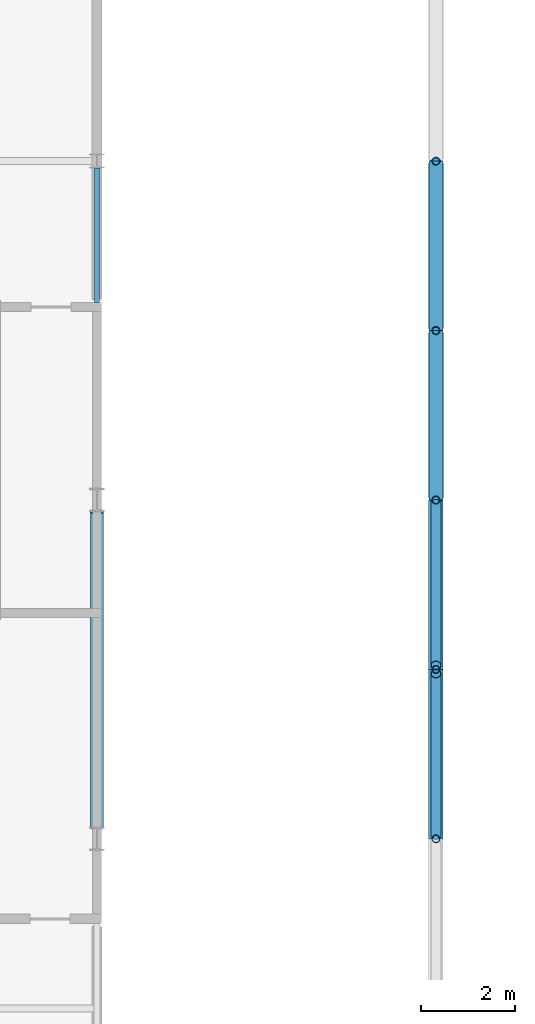
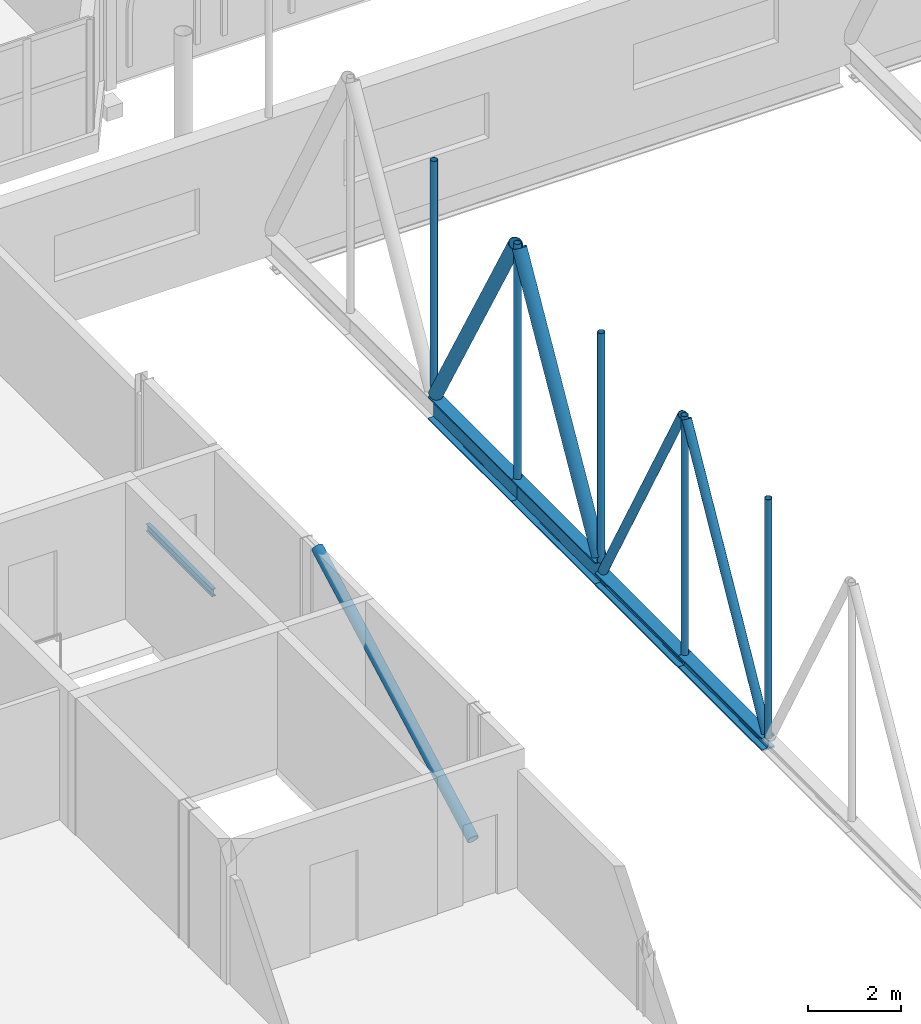
# One storey, part 44 of 142: 14 members, 1 beam.
"""IFC4 building model written with IfcOpenShell, lengths in metres."""

from ifc_helpers import new_model, si_unit, direction, frame, origin, origin_2d, place, context, subcontext, project, spatial, hollow_circle, i_section, extrude, material, material_profile, profile_set, type_object, element, save


model = new_model("IFC4")

# Units and contexts
model_context = context("Model", 3, precision=1e-05, world=origin(), true_north=direction((0.0, 1.0)))
body_context = subcontext(model_context, "Body", "Model", "MODEL_VIEW")
ifc_project = project(units=[si_unit("LENGTHUNIT", "METRE"), si_unit("AREAUNIT", "SQUARE_METRE"), si_unit("VOLUMEUNIT", "CUBIC_METRE"), si_unit("PLANEANGLEUNIT", "RADIAN"), si_unit("MASSUNIT", "GRAM", prefix="KILO")], contexts=[model_context])

# Site, building, storey
site_placement = place(None, origin())
site = spatial("IfcSite", under=ifc_project, at=site_placement, CompositionType="ELEMENT")
building_placement = place(site_placement, origin())
building = spatial("IfcBuilding", under=site, at=building_placement, Name="Kupolbacken Congress Centre", CompositionType="ELEMENT")
storey_placement = place(building_placement, frame((0.0, 0.0, 14.39990234375)))
storey = spatial("IfcBuildingStorey", under=building, at=storey_placement, Name="L04", CompositionType="ELEMENT", Elevation=14.39990234375)

# Beam
ifc_material_1 = material(Name="Steel S355", Category="steel")
ifc_material_profile_1 = material_profile(ifc_material_1, i_section(OverallWidth=0.10009765625, OverallDepth=0.199951171875, WebThickness=0.005615234375, FlangeThickness=0.008544921875, FilletRadius=0.011962890625, at=origin_2d()), Name="IPE 200")
ifc_profile_set_1 = profile_set([ifc_material_profile_1], Name="Steel S355")
beam_type = type_object("IfcBeamType", Name="B01 beam IPE 200", PredefinedType="BEAM", material=ifc_profile_set_1)
beam_placement = place(storey_placement, frame((86.39990234375, 105.0, -0.27978515625), z_axis=(0.0, 1.0, 0.0), x_axis=(-1.0, 0.0, 0.0)))
element("IfcBeam", 1, at=beam_placement, inside=storey, type_object=beam_type, Name="S/floor/LINK/L04/E008", PredefinedType="BEAM", context=body_context, shape_type="SweptSolid", body=[
    extrude(i_section(OverallWidth=0.10009765625, OverallDepth=0.199951171875, WebThickness=0.005615234375, FlangeThickness=0.008544921875, FilletRadius=0.011962890625, at=origin_2d()), origin(), (0.0, 0.0, 1.0), 2.85498046875),
])

# Members
ifc_material_2 = material(Name="Steel S355", Category="steel")
ifc_material_profile_2 = material_profile(ifc_material_2, i_section(OverallWidth=0.31005859375, OverallDepth=0.340087890625, WebThickness=0.02099609375, FlangeThickness=0.0390625, FilletRadius=0.027099609375, at=origin_2d()), Name="HEM 300")
ifc_profile_set_2 = profile_set([ifc_material_profile_2], Name="Steel S355")
member_type_1 = type_object("IfcMemberType", Name="M01 transfer truss chord HEM 300", PredefinedType="CHORD", material=ifc_profile_set_2)
member_1_placement = place(storey_placement, frame((93.60009765625, 93.60009765625, 0.16015625), z_axis=(0.0, 1.0, 0.0), x_axis=(-1.0, 0.0, 0.0)))
element("IfcMember", 2, at=member_1_placement, inside=storey, type_object=member_type_1, Name="HT/T1/BC15", PredefinedType="CHORD", context=body_context, shape_type="SweptSolid", body=[
    extrude(i_section(OverallWidth=0.31005859375, OverallDepth=0.340087890625, WebThickness=0.02099609375, FlangeThickness=0.0390625, FilletRadius=0.027099609375, at=origin_2d()), origin(), (0.0, 0.0, 1.0), 3.599853515625),
])
member_2_placement = place(storey_placement, frame((93.60009765625, 97.199951171875, 0.16015625), z_axis=(0.0, 1.0, 0.0), x_axis=(-1.0, 0.0, 0.0)))
element("IfcMember", 3, at=member_2_placement, inside=storey, type_object=member_type_1, Name="HT/T1/BC16", PredefinedType="CHORD", context=body_context, shape_type="SweptSolid", body=[
    extrude(i_section(OverallWidth=0.31005859375, OverallDepth=0.340087890625, WebThickness=0.02099609375, FlangeThickness=0.0390625, FilletRadius=0.027099609375, at=origin_2d()), origin(), (0.0, 0.0, 1.0), 3.60009765625),
])
ifc_material_3 = material(Name="Steel S355", Category="steel")
ifc_material_profile_3 = material_profile(ifc_material_3, i_section(OverallWidth=0.300048828125, OverallDepth=0.60009765625, WebThickness=0.015380859375, FlangeThickness=0.030029296875, FilletRadius=0.027099609375, at=origin_2d()), Name="HEB 600")
ifc_profile_set_3 = profile_set([ifc_material_profile_3], Name="Steel S355")
member_type_2 = type_object("IfcMemberType", Name="M02 transfer truss chord HEB 600", PredefinedType="CHORD", material=ifc_profile_set_3)
member_3_placement = place(storey_placement, frame((93.60009765625, 100.800048828125, 0.2900390625), z_axis=(0.0, 1.0, 0.0), x_axis=(-1.0, 0.0, 0.0)))
element("IfcMember", 4, at=member_3_placement, inside=storey, type_object=member_type_2, Name="HT/T1/BC17", PredefinedType="CHORD", context=body_context, shape_type="SweptSolid", body=[
    extrude(i_section(OverallWidth=0.300048828125, OverallDepth=0.60009765625, WebThickness=0.015380859375, FlangeThickness=0.030029296875, FilletRadius=0.027099609375, at=origin_2d()), origin(), (0.0, 0.0, 1.0), 3.599853515625),
])
member_4_placement = place(storey_placement, frame((93.60009765625, 104.39990234375, 0.2900390625), z_axis=(0.0, 1.0, 0.0), x_axis=(-1.0, 0.0, 0.0)))
element("IfcMember", 5, at=member_4_placement, inside=storey, type_object=member_type_2, Name="HT/T1/BC18", PredefinedType="CHORD", context=body_context, shape_type="SweptSolid", body=[
    extrude(i_section(OverallWidth=0.300048828125, OverallDepth=0.60009765625, WebThickness=0.015380859375, FlangeThickness=0.030029296875, FilletRadius=0.027099609375, at=origin_2d()), origin(), (0.0, 0.0, 1.0), 3.60009765625),
])
ifc_material_4 = material(Name="Steel S355", Category="steel")
ifc_material_profile_4 = material_profile(ifc_material_4, hollow_circle(Radius=0.161865234375, WallThickness=0.012451171875, at=origin_2d()), Name="CHS 323.9 x 12.5")
ifc_profile_set_4 = profile_set([ifc_material_profile_4], Name="Steel S355")
member_type_3 = type_object("IfcMemberType", Name="M04 transfer truss web CHS 323.9 x 12.5", PredefinedType="BRACE", material=ifc_profile_set_4)
member_5_placement = place(storey_placement, frame((93.60009765625, 100.884033203125, 0.658935546875), z_axis=(0.0, 0.494482554546, 0.869187553552), x_axis=(-1.0, 0.0, 0.0)))
element("IfcMember", 6, at=member_5_placement, inside=storey, type_object=member_type_3, Name="HT/T1/D17", PredefinedType="BRACE", context=body_context, shape_type="SweptSolid", body=[
    extrude(hollow_circle(Radius=0.161865234375, WallThickness=0.012451171875, at=origin_2d()), origin(), (0.0, 0.0, 1.0), 6.9404296875),
])
member_6_placement = place(storey_placement, frame((93.60009765625, 104.484130859375, 6.69140625), z_axis=(0.0, 0.494455978115, -0.869202672399), x_axis=(-1.0, 0.0, 0.0)))
element("IfcMember", 7, at=member_6_placement, inside=storey, type_object=member_type_3, Name="HT/T1/D18", PredefinedType="BRACE", context=body_context, shape_type="SweptSolid", body=[
    extrude(hollow_circle(Radius=0.161865234375, WallThickness=0.012451171875, at=origin_2d()), origin(), (0.0, 0.0, 1.0), 6.940185546875),
])
ifc_material_5 = material(Name="Steel S355", Category="steel")
ifc_material_profile_5 = material_profile(ifc_material_5, hollow_circle(Radius=0.109619140625, WallThickness=0.010009765625, at=origin_2d()), Name="CHS 219.1 x 10")
ifc_profile_set_5 = profile_set([ifc_material_profile_5], Name="Steel S355")
member_type_4 = type_object("IfcMemberType", Name="M05 transfer truss web CHS 219.1 x 10", PredefinedType="BRACE", material=ifc_profile_set_5)
member_7_placement = place(storey_placement, frame((93.60009765625, 93.68408203125, 0.372802734375), z_axis=(0.0, 0.485197410842, 0.87440463889), x_axis=(-1.0, 0.0, 0.0)))
element("IfcMember", 8, at=member_7_placement, inside=storey, type_object=member_type_4, Name="HT/T1/D15", PredefinedType="BRACE", context=body_context, shape_type="SweptSolid", body=[
    extrude(hollow_circle(Radius=0.109619140625, WallThickness=0.010009765625, at=origin_2d()), origin(), (0.0, 0.0, 1.0), 7.0732421875),
])
member_8_placement = place(storey_placement, frame((93.60009765625, 97.2841796875, 6.5576171875), z_axis=(0.0, 0.48517101949, -0.874419282637), x_axis=(-1.0, 0.0, 0.0)))
element("IfcMember", 9, at=member_8_placement, inside=storey, type_object=member_type_4, Name="HT/T1/D16", PredefinedType="BRACE", context=body_context, shape_type="SweptSolid", body=[
    extrude(hollow_circle(Radius=0.109619140625, WallThickness=0.010009765625, at=origin_2d()), origin(), (0.0, 0.0, 1.0), 7.072998046875),
])
ifc_material_6 = material(Name="Steel S355", Category="steel")
ifc_material_profile_6 = material_profile(ifc_material_6, hollow_circle(Radius=0.136474609375, WallThickness=0.012451171875, at=origin_2d()), Name="CHS 273 x 12.5")
ifc_profile_set_6 = profile_set([ifc_material_profile_6], Name="Steel S355")
member_type_5 = type_object("IfcMemberType", Name="M08 brace CHS 273 x 12.5", PredefinedType="BRACE", material=ifc_profile_set_6)
member_9_placement = place(storey_placement, frame((86.39990234375, 93.844970703125, 0.0), z_axis=(0.0, 0.881180466795, 0.472780059793), x_axis=(-1.0, 0.0, 0.0)))
element("IfcMember", 10, at=member_9_placement, inside=storey, type_object=member_type_5, Name="S/brace/W/08/05", PredefinedType="BRACE", context=body_context, shape_type="SweptSolid", body=[
    extrude(hollow_circle(Radius=0.136474609375, WallThickness=0.012451171875, at=origin_2d()), origin(), (0.0, 0.0, 1.0), 7.61474609375),
])
ifc_material_7 = material(Name="Steel S355", Category="steel")
ifc_material_profile_7 = material_profile(ifc_material_7, hollow_circle(Radius=0.084228515625, WallThickness=0.008056640625, at=origin_2d()), Name="CHS 168.3 x 8")
ifc_profile_set_7 = profile_set([ifc_material_profile_7], Name="Steel S355")
member_type_6 = type_object("IfcMemberType", Name="M20 transfer truss post CHS 168.3 x 8", PredefinedType="STRUT", material=ifc_profile_set_7)
for number, where, z_axis, x_axis, name in (
    (11, (93.60009765625, 93.60009765625, 0.320068359375), (0.0, 0.0, 1.0), (0.0, 1.0, 0.0), "HT/T1/P14"),
    (12, (93.60009765625, 97.199951171875, 0.320068359375), (0.0, 0.0, 1.0), (0.0, 1.0, 0.0), "HT/T1/P15"),
):
    element("IfcMember", number, at=place(storey_placement, frame(where, z_axis=z_axis, x_axis=x_axis)), inside=storey, type_object=member_type_6, Name=name, PredefinedType="STRUT", context=body_context, shape_type="SweptSolid", body=[
        extrude(hollow_circle(Radius=0.084228515625, WallThickness=0.008056640625, at=origin_2d()), origin(), (0.0, 0.0, 1.0), 6.2900390625),
    ])
member_10_placement = place(storey_placement, frame((93.60009765625, 100.800048828125, 0.580078125), z_axis=(0.0, 0.0, 1.0), x_axis=(0.0, 1.0, 0.0)))
element("IfcMember", 13, at=member_10_placement, inside=storey, type_object=member_type_6, Name="HT/T1/P16", PredefinedType="STRUT", context=body_context, shape_type="SweptSolid", body=[
    extrude(hollow_circle(Radius=0.084228515625, WallThickness=0.008056640625, at=origin_2d()), origin(), (0.0, 0.0, 1.0), 6.030029296875),
])
for number, where, z_axis, x_axis, name in (
    (14, (93.60009765625, 104.39990234375, 0.580078125), (0.0, 0.0, 1.0), (0.0, 1.0, 0.0), "HT/T1/P17"),
    (15, (93.60009765625, 108.0, 0.580078125), (0.0, 0.0, 1.0), (0.0, 1.0, 0.0), "HT/T1/P18"),
):
    element("IfcMember", number, at=place(storey_placement, frame(where, z_axis=z_axis, x_axis=x_axis)), inside=storey, type_object=member_type_6, Name=name, PredefinedType="STRUT", context=body_context, shape_type="SweptSolid", body=[
        extrude(hollow_circle(Radius=0.084228515625, WallThickness=0.008056640625, at=origin_2d()), origin(), (0.0, 0.0, 1.0), 6.18994140625),
    ])

save(model, "model.ifc")
